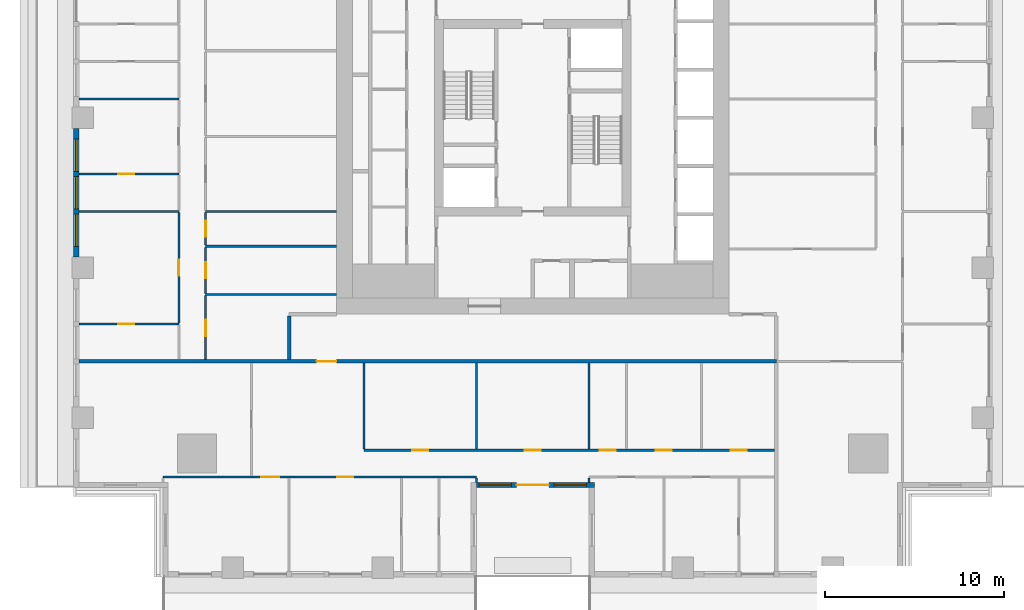
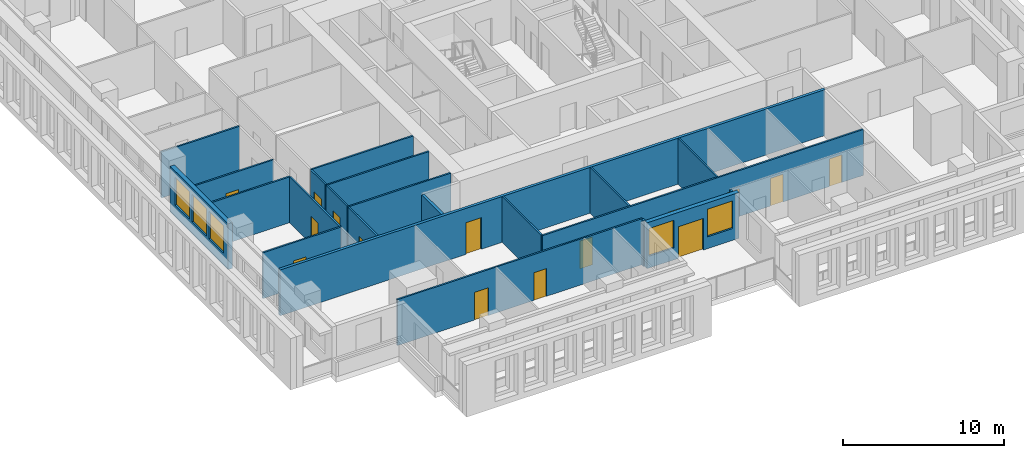
# One storey, part 3 of 16: 22 walls, 15 doors, 5 windows, 20 openings.
"""IFC4 building model written with IfcOpenShell, lengths in metres."""

from ifc_helpers import new_model, si_unit, direction, frame, frame_2d, origin, place, context, subcontext, project, spatial, rectangle, extrude, material, layer, layer_set, type_object, element, fill, save


model = new_model("IFC4")

# Units and contexts
model_context = context("Model", 3, precision=1e-05, world=origin(), true_north=direction((0.0, 1.0)))
body_context = subcontext(model_context, "Body", "Model", "MODEL_VIEW")
ifc_project = project(units=[si_unit("LENGTHUNIT", "METRE"), si_unit("AREAUNIT", "SQUARE_METRE"), si_unit("VOLUMEUNIT", "CUBIC_METRE"), si_unit("PLANEANGLEUNIT", "RADIAN"), si_unit("MASSUNIT", "GRAM", prefix="KILO")], contexts=[model_context])

# Site, building, storey
site_placement = place(None, origin())
site = spatial("IfcSite", under=ifc_project, at=site_placement, CompositionType="ELEMENT")
building_placement = place(site_placement, origin())
building = spatial("IfcBuilding", under=site, at=building_placement, Name="Khepri Terraces", CompositionType="ELEMENT")
storey_placement = place(building_placement, frame((0.0, 0.0, 240.60009765625)))
storey = spatial("IfcBuildingStorey", under=building, at=storey_placement, Name="L57", CompositionType="ELEMENT", Elevation=240.60009765625)

# Wall, opening, door
ifc_material_1 = material(Name="Fire-rated gypsum plasterboard partition, mineral wool")
ifc_layer_1 = layer(ifc_material_1, 0.199951171875, Name="Fire-rated gypsum plasterboard partition, mineral wool")
ifc_layer_set_1 = layer_set([ifc_layer_1], Name="Fire-rated gypsum plasterboard partition, mineral wool")
wall_type_1 = type_object("IfcWallType", Name="WL-CORR-200", PredefinedType="PARTITIONING", material=ifc_layer_set_1)
wall_1_placement = place(storey_placement, frame((-25.419921875, -13.64990234375, 0.0), z_axis=(0.0, 0.0, 1.0), x_axis=(1.0, 0.0, 0.0)))
wall_1 = element("IfcWall", 1, at=wall_1_placement, inside=storey, type_object=wall_type_1, Name="Partition P-020 L57", PredefinedType="PARTITIONING", context=body_context, shape_type="SweptSolid", body=[
    extrude(rectangle(XDim=39.06982421875, YDim=0.199951171875, at=frame_2d((19.534912109375, 0.0))), origin(), (0.0, 0.0, 1.0), 3.47998046875),
])
opening_1_placement = place(wall_1_placement, frame((13.320068359375, 0.0, 0.0)))
opening_1 = element("IfcOpeningElement", 2, at=opening_1_placement, cuts=wall_1, Name="Opening D1", PredefinedType="OPENING", context=body_context, shape_type="SweptSolid", body=[
    extrude(rectangle(XDim=1.10009765625, YDim=2.39990234375, at=frame_2d((0.550048828125, 1.199951171875))), frame((0.0, 0.10986328125, 0.0), z_axis=(0.0, -1.0, 0.0), x_axis=(1.0, 0.0, 0.0)), (0.0, 0.0, 1.0), 0.219970703125),
])
ifc_material_2 = material(Name="Solid-core timber door leaf, flat entrance door", Category="wood")
door_type_1 = type_object("IfcDoorType", Name="DR-ENT-1100", OperationType="NOTDEFINED", PredefinedType="DOOR", material=ifc_material_2)
door_1_placement = place(opening_1_placement, frame((1.10009765625, 0.0, 0.0), z_axis=(0.0, 0.0, 1.0), x_axis=(-1.0, 0.0, 0.0)))
door_1 = element("IfcDoor", 3, at=door_1_placement, inside=storey, type_object=door_type_1, Name="Flat A1 entrance door", OperationType="SINGLE_SWING_RIGHT", OverallHeight=2.39990234375, OverallWidth=1.10009765625, PredefinedType="DOOR", context=body_context, shape_type="SweptSolid", body=[
    extrude(rectangle(XDim=1.10009765625, YDim=2.39990234375, at=frame_2d((0.550048828125, 1.199951171875))), frame((0.0, 0.02490234375, 0.0), z_axis=(0.0, -1.0, 0.0), x_axis=(1.0, 0.0, 0.0)), (0.0, 0.0, 1.0), 0.050048828125),
])
fill(opening_1, door_1)

# Wall
wall_2_placement = place(storey_placement, frame((-13.64990234375, -13.550048828125, 0.0), z_axis=(0.0, 0.0, 1.0), x_axis=(0.0, 1.0, 0.0)))
element("IfcWall", 4, at=wall_2_placement, inside=storey, type_object=wall_type_1, Name="Partition P-025 L57", PredefinedType="PARTITIONING", context=body_context, shape_type="SweptSolid", body=[
    extrude(rectangle(XDim=2.449951171875, YDim=0.199951171875, at=frame_2d((1.22509765625, 0.0))), origin(), (0.0, 0.0, 1.0), 3.47998046875),
])

# Wall, openings, windows
ifc_material_3 = material(Name="Precast concrete C50/60 warm stone", Category="masonry")
ifc_layer_2 = layer(ifc_material_3, 0.300048828125, Name="Precast concrete C50/60 warm stone", Category="masonry")
ifc_layer_set_2 = layer_set([ifc_layer_2], Name="Precast concrete C50/60 warm stone")
wall_type_2 = type_object("IfcWallType", Name="WL-EXT-PRECAST-300", PredefinedType="STANDARD", material=ifc_layer_set_2)
wall_3_placement = place(storey_placement, frame((-25.570068359375, -0.60009765625, 0.0), z_axis=(0.0, 0.0, 1.0), x_axis=(0.0, -1.0, 0.0)))
wall_3 = element("IfcWall", 5, at=wall_3_placement, inside=storey, type_object=wall_type_2, Name="External wall L57 W", PredefinedType="STANDARD", context=body_context, shape_type="SweptSolid", body=[
    extrude(rectangle(XDim=7.199951171875, YDim=0.300048828125, at=frame_2d((3.60009765625, 0.0))), origin(), (0.0, 0.0, 1.0), 3.47998046875),
])
opening_2_placement = place(wall_3_placement, frame((0.60009765625, 0.0, 0.89990234375)))
opening_2 = element("IfcOpeningElement", 6, at=opening_2_placement, cuts=wall_3, Name="Opening W1", PredefinedType="OPENING", context=body_context, shape_type="SweptSolid", body=[
    extrude(rectangle(XDim=1.800048828125, YDim=2.10009765625, at=frame_2d((0.89990234375, 1.050048828125))), frame((0.0, 0.16015625, 0.0), z_axis=(0.0, -1.0, 0.0), x_axis=(1.0, 0.0, 0.0)), (0.0, 0.0, 1.0), 0.320068359375),
])
opening_3_placement = place(wall_3_placement, frame((2.699951171875, 0.0, 0.89990234375)))
opening_3 = element("IfcOpeningElement", 7, at=opening_3_placement, cuts=wall_3, Name="Opening W1", PredefinedType="OPENING", context=body_context, shape_type="SweptSolid", body=[
    extrude(rectangle(XDim=1.800048828125, YDim=2.10009765625, at=frame_2d((0.89990234375, 1.050048828125))), frame((0.0, 0.16015625, 0.0), z_axis=(0.0, -1.0, 0.0), x_axis=(1.0, 0.0, 0.0)), (0.0, 0.0, 1.0), 0.320068359375),
])
opening_4_placement = place(wall_3_placement, frame((4.800048828125, 0.0, 0.89990234375)))
opening_4 = element("IfcOpeningElement", 8, at=opening_4_placement, cuts=wall_3, Name="Opening W1", PredefinedType="OPENING", context=body_context, shape_type="SweptSolid", body=[
    extrude(rectangle(XDim=1.800048828125, YDim=2.10009765625, at=frame_2d((0.89990234375, 1.050048828125))), frame((0.0, 0.16015625, 0.0), z_axis=(0.0, -1.0, 0.0), x_axis=(1.0, 0.0, 0.0)), (0.0, 0.0, 1.0), 0.320068359375),
])
ifc_material_4 = material(Name="Clear glass", Category="glass")
window_type = type_object("IfcWindowType", Name="WIN-RES-1800x2100", PartitioningType="SINGLE_PANEL", PredefinedType="WINDOW", material=ifc_material_4)
window_1_placement = place(opening_2_placement, origin())
window_1 = element("IfcWindow", 9, at=window_1_placement, inside=storey, type_object=window_type, Name="Window L57 W", OverallHeight=2.10009765625, OverallWidth=1.800048828125, PartitioningType="SINGLE_PANEL", PredefinedType="WINDOW", context=body_context, shape_type="SweptSolid", body=[
    extrude(rectangle(XDim=1.800048828125, YDim=2.10009765625, at=frame_2d((0.89990234375, 1.050048828125))), frame((0.0, 0.030029296875, 0.0), z_axis=(0.0, -1.0, 0.0), x_axis=(1.0, 0.0, 0.0)), (0.0, 0.0, 1.0), 0.06005859375),
])
fill(opening_2, window_1)
window_2_placement = place(opening_3_placement, origin())
window_2 = element("IfcWindow", 10, at=window_2_placement, inside=storey, type_object=window_type, Name="Window L57 W", OverallHeight=2.10009765625, OverallWidth=1.800048828125, PartitioningType="SINGLE_PANEL", PredefinedType="WINDOW", context=body_context, shape_type="SweptSolid", body=[
    extrude(rectangle(XDim=1.800048828125, YDim=2.10009765625, at=frame_2d((0.89990234375, 1.050048828125))), frame((0.0, 0.030029296875, 0.0), z_axis=(0.0, -1.0, 0.0), x_axis=(1.0, 0.0, 0.0)), (0.0, 0.0, 1.0), 0.06005859375),
])
fill(opening_3, window_2)
window_3_placement = place(opening_4_placement, origin())
window_3 = element("IfcWindow", 11, at=window_3_placement, inside=storey, type_object=window_type, Name="Window L57 W", OverallHeight=2.10009765625, OverallWidth=1.800048828125, PartitioningType="SINGLE_PANEL", PredefinedType="WINDOW", context=body_context, shape_type="SweptSolid", body=[
    extrude(rectangle(XDim=1.800048828125, YDim=2.10009765625, at=frame_2d((0.89990234375, 1.050048828125))), frame((0.0, 0.030029296875, 0.0), z_axis=(0.0, -1.0, 0.0), x_axis=(1.0, 0.0, 0.0)), (0.0, 0.0, 1.0), 0.06005859375),
])
fill(opening_4, window_3)

# Wall, openings, door, windows
wall_4_placement = place(storey_placement, frame((-3.14990234375, -20.570068359375, 0.0), z_axis=(0.0, 0.0, 1.0), x_axis=(1.0, 0.0, 0.0)))
wall_4 = element("IfcWall", 12, at=wall_4_placement, inside=storey, type_object=wall_type_2, Name="External wall L57 S", PredefinedType="STANDARD", context=body_context, shape_type="SweptSolid", body=[
    extrude(rectangle(XDim=6.599853515625, YDim=0.300048828125, at=frame_2d((3.2998046875, 0.0))), origin(), (0.0, 0.0, 1.0), 3.47998046875),
])
opening_5_placement = place(wall_4_placement, frame((0.14990234375, 0.0, 0.89990234375)))
opening_5 = element("IfcOpeningElement", 13, at=opening_5_placement, cuts=wall_4, Name="Opening W1", PredefinedType="OPENING", context=body_context, shape_type="SweptSolid", body=[
    extrude(rectangle(XDim=1.800048828125, YDim=2.10009765625, at=frame_2d((0.89990234375, 1.050048828125))), frame((0.0, 0.16015625, 0.0), z_axis=(0.0, -1.0, 0.0), x_axis=(1.0, 0.0, 0.0)), (0.0, 0.0, 1.0), 0.320068359375),
])
opening_6_placement = place(wall_4_placement, frame((2.25, 0.0, 0.0)))
opening_6 = element("IfcOpeningElement", 14, at=opening_6_placement, cuts=wall_4, Name="Opening ED-L57-19", PredefinedType="OPENING", context=body_context, shape_type="SweptSolid", body=[
    extrude(rectangle(XDim=1.800048828125, YDim=2.39990234375, at=frame_2d((0.89990234375, 1.199951171875))), frame((0.0, 0.16015625, 0.0), z_axis=(0.0, -1.0, 0.0), x_axis=(1.0, 0.0, 0.0)), (0.0, 0.0, 1.0), 0.320068359375),
])
opening_7_placement = place(wall_4_placement, frame((4.35009765625, 0.0, 0.89990234375)))
opening_7 = element("IfcOpeningElement", 15, at=opening_7_placement, cuts=wall_4, Name="Opening W1", PredefinedType="OPENING", context=body_context, shape_type="SweptSolid", body=[
    extrude(rectangle(XDim=1.800048828125, YDim=2.10009765625, at=frame_2d((0.89990234375, 1.050048828125))), frame((0.0, 0.16015625, 0.0), z_axis=(0.0, -1.0, 0.0), x_axis=(1.0, 0.0, 0.0)), (0.0, 0.0, 1.0), 0.320068359375),
])
ifc_material_5 = material(Name="Anodised aluminium bronze glazed door", Category="aluminium")
door_type_2 = type_object("IfcDoorType", Name="DR-BAL-SLIDE-1800x2400", OperationType="NOTDEFINED", PredefinedType="DOOR", material=ifc_material_5)
door_2_placement = place(opening_6_placement, origin())
door_2 = element("IfcDoor", 16, at=door_2_placement, inside=storey, type_object=door_type_2, Name="Balcony door L57 S", OperationType="SLIDING_TO_LEFT", OverallHeight=2.39990234375, OverallWidth=1.800048828125, PredefinedType="DOOR", context=body_context, shape_type="SweptSolid", body=[
    extrude(rectangle(XDim=1.800048828125, YDim=2.39990234375, at=frame_2d((0.89990234375, 1.199951171875))), frame((0.0, 0.02490234375, 0.0), z_axis=(0.0, -1.0, 0.0), x_axis=(1.0, 0.0, 0.0)), (0.0, 0.0, 1.0), 0.050048828125),
])
fill(opening_6, door_2)
window_4_placement = place(opening_5_placement, origin())
window_4 = element("IfcWindow", 17, at=window_4_placement, inside=storey, type_object=window_type, Name="Window L57 S", OverallHeight=2.10009765625, OverallWidth=1.800048828125, PartitioningType="SINGLE_PANEL", PredefinedType="WINDOW", context=body_context, shape_type="SweptSolid", body=[
    extrude(rectangle(XDim=1.800048828125, YDim=2.10009765625, at=frame_2d((0.89990234375, 1.050048828125))), frame((0.0, 0.030029296875, 0.0), z_axis=(0.0, -1.0, 0.0), x_axis=(1.0, 0.0, 0.0)), (0.0, 0.0, 1.0), 0.06005859375),
])
fill(opening_5, window_4)
window_5_placement = place(opening_7_placement, origin())
window_5 = element("IfcWindow", 18, at=window_5_placement, inside=storey, type_object=window_type, Name="Window L57 S", OverallHeight=2.10009765625, OverallWidth=1.800048828125, PartitioningType="SINGLE_PANEL", PredefinedType="WINDOW", context=body_context, shape_type="SweptSolid", body=[
    extrude(rectangle(XDim=1.800048828125, YDim=2.10009765625, at=frame_2d((0.89990234375, 1.050048828125))), frame((0.0, 0.030029296875, 0.0), z_axis=(0.0, -1.0, 0.0), x_axis=(1.0, 0.0, 0.0)), (0.0, 0.0, 1.0), 0.06005859375),
])
fill(opening_7, window_5)

# Walls
ifc_material_6 = material(Name="Gypsum plasterboard partition")
ifc_layer_3 = layer(ifc_material_6, 0.1201171875, Name="Gypsum plasterboard partition")
ifc_layer_set_3 = layer_set([ifc_layer_3], Name="Gypsum plasterboard partition")
wall_type_3 = type_object("IfcWallType", Name="WL-PART-120", PredefinedType="PARTITIONING", material=ifc_layer_set_3)
for number, where, z_axis, x_axis, name in (
    (19, (-3.14990234375, -20.419921875, 0.0), (0.0, 0.0, 1.0), (0.0, 1.0, 0.0), "Partition P-008 L57"),
    (20, (3.14990234375, -20.419921875, 0.0), (0.0, 0.0, 1.0), (0.0, 1.0, 0.0), "Partition P-009 L57"),
):
    element("IfcWall", number, at=place(storey_placement, frame(where, z_axis=z_axis, x_axis=x_axis)), inside=storey, type_object=wall_type_3, Name=name, PredefinedType="PARTITIONING", context=body_context, shape_type="SweptSolid", body=[
        extrude(rectangle(XDim=0.239990234375, YDim=0.1201171875, at=frame_2d((0.1201171875, 0.0))), origin(), (0.0, 0.0, 1.0), 3.47998046875),
    ])

# Wall, openings, doors
wall_5_placement = place(storey_placement, frame((-20.718994140625, -20.1201171875, 0.0), z_axis=(0.0, 0.0, 1.0), x_axis=(1.0, 0.0, 0.0)))
wall_5 = element("IfcWall", 21, at=wall_5_placement, inside=storey, type_object=wall_type_3, Name="Partition P-011 L57", PredefinedType="PARTITIONING", context=body_context, shape_type="SweptSolid", body=[
    extrude(rectangle(XDim=17.569091796875, YDim=0.1201171875, at=frame_2d((8.78466796875, 0.0))), origin(), (0.0, 0.0, 1.0), 3.47998046875),
])
opening_8_placement = place(wall_5_placement, frame((5.51904296875, 0.0, 0.0)))
opening_8 = element("IfcOpeningElement", 22, at=opening_8_placement, cuts=wall_5, Name="Opening D2", PredefinedType="OPENING", context=body_context, shape_type="SweptSolid", body=[
    extrude(rectangle(XDim=1.0, YDim=2.10009765625, at=frame_2d((0.5, 1.050048828125))), frame((0.0, 0.070068359375, 0.0), z_axis=(0.0, -1.0, 0.0), x_axis=(1.0, 0.0, 0.0)), (0.0, 0.0, 1.0), 0.14013671875),
])
opening_9_placement = place(wall_5_placement, frame((9.76904296875, 0.0, 0.0)))
opening_9 = element("IfcOpeningElement", 23, at=opening_9_placement, cuts=wall_5, Name="Opening D3", PredefinedType="OPENING", context=body_context, shape_type="SweptSolid", body=[
    extrude(rectangle(XDim=0.89990234375, YDim=2.10009765625, at=frame_2d((0.449951171875, 1.050048828125))), frame((0.0, 0.070068359375, 0.0), z_axis=(0.0, -1.0, 0.0), x_axis=(1.0, 0.0, 0.0)), (0.0, 0.0, 1.0), 0.14013671875),
])
ifc_material_7 = material(Name="Timber door leaf, living room door", Category="wood")
door_type_3 = type_object("IfcDoorType", Name="DR-INT-1000", OperationType="NOTDEFINED", PredefinedType="DOOR", material=ifc_material_7)
door_3_placement = place(opening_8_placement, frame((1.0, 0.0, 0.0), z_axis=(0.0, 0.0, 1.0), x_axis=(-1.0, 0.0, 0.0)))
door_3 = element("IfcDoor", 24, at=door_3_placement, inside=storey, type_object=door_type_3, Name="Door Living Room", OperationType="SINGLE_SWING_RIGHT", OverallHeight=2.10009765625, OverallWidth=1.0, PredefinedType="DOOR", context=body_context, shape_type="SweptSolid", body=[
    extrude(rectangle(XDim=1.0, YDim=2.10009765625, at=frame_2d((0.5, 1.050048828125))), frame((0.0, 0.02490234375, 0.0), z_axis=(0.0, -1.0, 0.0), x_axis=(1.0, 0.0, 0.0)), (0.0, 0.0, 1.0), 0.050048828125),
])
fill(opening_8, door_3)
ifc_material_8 = material(Name="Timber door leaf", Category="wood")
door_type_4 = type_object("IfcDoorType", Name="DR-INT-900", OperationType="NOTDEFINED", PredefinedType="DOOR", material=ifc_material_8)
door_4_placement = place(opening_9_placement, frame((0.89990234375, 0.0, 0.0), z_axis=(0.0, 0.0, 1.0), x_axis=(-1.0, 0.0, 0.0)))
door_4 = element("IfcDoor", 25, at=door_4_placement, inside=storey, type_object=door_type_4, Name="Door Master Bedroom", OperationType="SINGLE_SWING_LEFT", OverallHeight=2.10009765625, OverallWidth=0.89990234375, PredefinedType="DOOR", context=body_context, shape_type="SweptSolid", body=[
    extrude(rectangle(XDim=0.89990234375, YDim=2.10009765625, at=frame_2d((0.449951171875, 1.050048828125))), frame((0.0, 0.02490234375, 0.0), z_axis=(0.0, -1.0, 0.0), x_axis=(1.0, 0.0, 0.0)), (0.0, 0.0, 1.0), 0.050048828125),
])
fill(opening_9, door_4)

wall_6_placement = place(storey_placement, frame((-9.449951171875, -18.6201171875, 0.0), z_axis=(0.0, 0.0, 1.0), x_axis=(1.0, 0.0, 0.0)))
wall_6 = element("IfcWall", 26, at=wall_6_placement, inside=storey, type_object=wall_type_3, Name="Partition P-014 L57", PredefinedType="PARTITIONING", context=body_context, shape_type="SweptSolid", body=[
    extrude(rectangle(XDim=23.0, YDim=0.1201171875, at=frame_2d((11.5, 0.0))), origin(), (0.0, 0.0, 1.0), 3.47998046875),
])
opening_10_placement = place(wall_6_placement, frame((2.699951171875, 0.0, 0.0)))
opening_10 = element("IfcOpeningElement", 27, at=opening_10_placement, cuts=wall_6, Name="Opening D3", PredefinedType="OPENING", context=body_context, shape_type="SweptSolid", body=[
    extrude(rectangle(XDim=0.89990234375, YDim=2.10009765625, at=frame_2d((0.449951171875, 1.050048828125))), frame((0.0, 0.070068359375, 0.0), z_axis=(0.0, -1.0, 0.0), x_axis=(1.0, 0.0, 0.0)), (0.0, 0.0, 1.0), 0.14013671875),
])
opening_11_placement = place(wall_6_placement, frame((9.0, 0.0, 0.0)))
opening_11 = element("IfcOpeningElement", 28, at=opening_11_placement, cuts=wall_6, Name="Opening D3", PredefinedType="OPENING", context=body_context, shape_type="SweptSolid", body=[
    extrude(rectangle(XDim=0.89990234375, YDim=2.10009765625, at=frame_2d((0.449951171875, 1.050048828125))), frame((0.0, 0.070068359375, 0.0), z_axis=(0.0, -1.0, 0.0), x_axis=(1.0, 0.0, 0.0)), (0.0, 0.0, 1.0), 0.14013671875),
])
opening_12_placement = place(wall_6_placement, frame((13.199951171875, 0.0, 0.0)))
opening_12 = element("IfcOpeningElement", 29, at=opening_12_placement, cuts=wall_6, Name="Opening D4", PredefinedType="OPENING", context=body_context, shape_type="SweptSolid", body=[
    extrude(rectangle(XDim=0.89990234375, YDim=2.10009765625, at=frame_2d((0.449951171875, 1.050048828125))), frame((0.0, 0.070068359375, 0.0), z_axis=(0.0, -1.0, 0.0), x_axis=(1.0, 0.0, 0.0)), (0.0, 0.0, 1.0), 0.14013671875),
])
opening_13_placement = place(wall_6_placement, frame((16.35009765625, 0.0, 0.0)))
opening_13 = element("IfcOpeningElement", 30, at=opening_13_placement, cuts=wall_6, Name="Opening D4", PredefinedType="OPENING", context=body_context, shape_type="SweptSolid", body=[
    extrude(rectangle(XDim=0.89990234375, YDim=2.10009765625, at=frame_2d((0.449951171875, 1.050048828125))), frame((0.0, 0.070068359375, 0.0), z_axis=(0.0, -1.0, 0.0), x_axis=(1.0, 0.0, 0.0)), (0.0, 0.0, 1.0), 0.14013671875),
])
opening_14_placement = place(wall_6_placement, frame((20.550048828125, 0.0, 0.0)))
opening_14 = element("IfcOpeningElement", 31, at=opening_14_placement, cuts=wall_6, Name="Opening D3", PredefinedType="OPENING", context=body_context, shape_type="SweptSolid", body=[
    extrude(rectangle(XDim=0.89990234375, YDim=2.10009765625, at=frame_2d((0.449951171875, 1.050048828125))), frame((0.0, 0.070068359375, 0.0), z_axis=(0.0, -1.0, 0.0), x_axis=(1.0, 0.0, 0.0)), (0.0, 0.0, 1.0), 0.14013671875),
])
door_5_placement = place(opening_10_placement, origin())
door_5 = element("IfcDoor", 32, at=door_5_placement, inside=storey, type_object=door_type_4, Name="Door Kitchen", OperationType="SINGLE_SWING_LEFT", OverallHeight=2.10009765625, OverallWidth=0.89990234375, PredefinedType="DOOR", context=body_context, shape_type="SweptSolid", body=[
    extrude(rectangle(XDim=0.89990234375, YDim=2.10009765625, at=frame_2d((0.449951171875, 1.050048828125))), frame((0.0, 0.02490234375, 0.0), z_axis=(0.0, -1.0, 0.0), x_axis=(1.0, 0.0, 0.0)), (0.0, 0.0, 1.0), 0.050048828125),
])
fill(opening_10, door_5)
door_6_placement = place(opening_11_placement, origin())
door_6 = element("IfcDoor", 33, at=door_6_placement, inside=storey, type_object=door_type_4, Name="Door Staff Bedroom", OperationType="SINGLE_SWING_LEFT", OverallHeight=2.10009765625, OverallWidth=0.89990234375, PredefinedType="DOOR", context=body_context, shape_type="SweptSolid", body=[
    extrude(rectangle(XDim=0.89990234375, YDim=2.10009765625, at=frame_2d((0.449951171875, 1.050048828125))), frame((0.0, 0.02490234375, 0.0), z_axis=(0.0, -1.0, 0.0), x_axis=(1.0, 0.0, 0.0)), (0.0, 0.0, 1.0), 0.050048828125),
])
fill(opening_11, door_6)
door_7_placement = place(opening_14_placement, origin())
door_7 = element("IfcDoor", 34, at=door_7_placement, inside=storey, type_object=door_type_4, Name="Door Library", OperationType="SINGLE_SWING_RIGHT", OverallHeight=2.10009765625, OverallWidth=0.89990234375, PredefinedType="DOOR", context=body_context, shape_type="SweptSolid", body=[
    extrude(rectangle(XDim=0.89990234375, YDim=2.10009765625, at=frame_2d((0.449951171875, 1.050048828125))), frame((0.0, 0.02490234375, 0.0), z_axis=(0.0, -1.0, 0.0), x_axis=(1.0, 0.0, 0.0)), (0.0, 0.0, 1.0), 0.050048828125),
])
fill(opening_14, door_7)
ifc_material_9 = material(Name="Timber door leaf, moisture resistant", Category="wood")
door_type_5 = type_object("IfcDoorType", Name="DR-WET-900", OperationType="NOTDEFINED", PredefinedType="DOOR", material=ifc_material_9)
door_8_placement = place(opening_12_placement, origin())
door_8 = element("IfcDoor", 35, at=door_8_placement, inside=storey, type_object=door_type_5, Name="Door Powder Room", OperationType="SINGLE_SWING_RIGHT", OverallHeight=2.10009765625, OverallWidth=0.89990234375, PredefinedType="DOOR", context=body_context, shape_type="SweptSolid", body=[
    extrude(rectangle(XDim=0.89990234375, YDim=2.10009765625, at=frame_2d((0.449951171875, 1.050048828125))), frame((0.0, 0.02490234375, 0.0), z_axis=(0.0, -1.0, 0.0), x_axis=(1.0, 0.0, 0.0)), (0.0, 0.0, 1.0), 0.050048828125),
])
fill(opening_12, door_8)
door_9_placement = place(opening_13_placement, origin())
door_9 = element("IfcDoor", 36, at=door_9_placement, inside=storey, type_object=door_type_5, Name="Door Guest Bathroom", OperationType="SINGLE_SWING_RIGHT", OverallHeight=2.10009765625, OverallWidth=0.89990234375, PredefinedType="DOOR", context=body_context, shape_type="SweptSolid", body=[
    extrude(rectangle(XDim=0.89990234375, YDim=2.10009765625, at=frame_2d((0.449951171875, 1.050048828125))), frame((0.0, 0.02490234375, 0.0), z_axis=(0.0, -1.0, 0.0), x_axis=(1.0, 0.0, 0.0)), (0.0, 0.0, 1.0), 0.050048828125),
])
fill(opening_13, door_9)

# Walls
for number, where, z_axis, x_axis, name in (
    (37, (-9.449951171875, -18.56005859375, 0.0), (0.0, 0.0, 1.0), (0.0, 1.0, 0.0), "Partition P-015 L57"),
    (38, (-3.14990234375, -18.56005859375, 0.0), (0.0, 0.0, 1.0), (0.0, 1.0, 0.0), "Partition P-016 L57"),
    (39, (3.14990234375, -18.56005859375, 0.0), (0.0, 0.0, 1.0), (0.0, 1.0, 0.0), "Partition P-017 L57"),
):
    element("IfcWall", number, at=place(storey_placement, frame(where, z_axis=z_axis, x_axis=x_axis)), inside=storey, type_object=wall_type_3, Name=name, PredefinedType="PARTITIONING", context=body_context, shape_type="SweptSolid", body=[
        extrude(rectangle(XDim=4.81005859375, YDim=0.1201171875, at=frame_2d((2.405029296875, 0.0))), origin(), (0.0, 0.0, 1.0), 3.47998046875),
    ])

# Wall, opening, door
wall_7_placement = place(storey_placement, frame((-18.320068359375, -13.550048828125, 0.0), z_axis=(0.0, 0.0, 1.0), x_axis=(0.0, 1.0, 0.0)))
wall_7 = element("IfcWall", 40, at=wall_7_placement, inside=storey, type_object=wall_type_3, Name="Partition P-024 L57", PredefinedType="PARTITIONING", context=body_context, shape_type="SweptSolid", body=[
    extrude(rectangle(XDim=3.590087890625, YDim=0.1201171875, at=frame_2d((1.794921875, 0.0))), origin(), (0.0, 0.0, 1.0), 3.47998046875),
])
opening_15_placement = place(wall_7_placement, frame((1.324951171875, 0.0, 0.0)))
opening_15 = element("IfcOpeningElement", 41, at=opening_15_placement, cuts=wall_7, Name="Opening D3", PredefinedType="OPENING", context=body_context, shape_type="SweptSolid", body=[
    extrude(rectangle(XDim=0.89990234375, YDim=2.10009765625, at=frame_2d((0.449951171875, 1.050048828125))), frame((0.0, 0.070068359375, 0.0), z_axis=(0.0, -1.0, 0.0), x_axis=(1.0, 0.0, 0.0)), (0.0, 0.0, 1.0), 0.14013671875),
])
door_10_placement = place(opening_15_placement, frame((0.89990234375, 0.0, 0.0), z_axis=(0.0, 0.0, 1.0), x_axis=(-1.0, 0.0, 0.0)))
door_10 = element("IfcDoor", 42, at=door_10_placement, inside=storey, type_object=door_type_4, Name="Door Library", OperationType="SINGLE_SWING_RIGHT", OverallHeight=2.10009765625, OverallWidth=0.89990234375, PredefinedType="DOOR", context=body_context, shape_type="SweptSolid", body=[
    extrude(rectangle(XDim=0.89990234375, YDim=2.10009765625, at=frame_2d((0.449951171875, 1.050048828125))), frame((0.0, 0.02490234375, 0.0), z_axis=(0.0, -1.0, 0.0), x_axis=(1.0, 0.0, 0.0)), (0.0, 0.0, 1.0), 0.050048828125),
])
fill(opening_15, door_10)

wall_8_placement = place(storey_placement, frame((-25.419921875, -11.550048828125, 0.0), z_axis=(0.0, 0.0, 1.0), x_axis=(1.0, 0.0, 0.0)))
wall_8 = element("IfcWall", 43, at=wall_8_placement, inside=storey, type_object=wall_type_3, Name="Partition P-027 L57", PredefinedType="PARTITIONING", context=body_context, shape_type="SweptSolid", body=[
    extrude(rectangle(XDim=5.599853515625, YDim=0.1201171875, at=frame_2d((2.7998046875, 0.0))), origin(), (0.0, 0.0, 1.0), 3.47998046875),
])
opening_16_placement = place(wall_8_placement, frame((2.199951171875, 0.0, 0.0)))
opening_16 = element("IfcOpeningElement", 44, at=opening_16_placement, cuts=wall_8, Name="Opening D4", PredefinedType="OPENING", context=body_context, shape_type="SweptSolid", body=[
    extrude(rectangle(XDim=0.89990234375, YDim=2.10009765625, at=frame_2d((0.449951171875, 1.050048828125))), frame((0.0, 0.070068359375, 0.0), z_axis=(0.0, -1.0, 0.0), x_axis=(1.0, 0.0, 0.0)), (0.0, 0.0, 1.0), 0.14013671875),
])
door_11_placement = place(opening_16_placement, frame((0.89990234375, 0.0, 0.0), z_axis=(0.0, 0.0, 1.0), x_axis=(-1.0, 0.0, 0.0)))
door_11 = element("IfcDoor", 45, at=door_11_placement, inside=storey, type_object=door_type_5, Name="Door Bathroom", OperationType="SINGLE_SWING_RIGHT", OverallHeight=2.10009765625, OverallWidth=0.89990234375, PredefinedType="DOOR", context=body_context, shape_type="SweptSolid", body=[
    extrude(rectangle(XDim=0.89990234375, YDim=2.10009765625, at=frame_2d((0.449951171875, 1.050048828125))), frame((0.0, 0.02490234375, 0.0), z_axis=(0.0, -1.0, 0.0), x_axis=(1.0, 0.0, 0.0)), (0.0, 0.0, 1.0), 0.050048828125),
])
fill(opening_16, door_11)

wall_9_placement = place(storey_placement, frame((-19.820068359375, -11.489990234375, 0.0), z_axis=(0.0, 0.0, 1.0), x_axis=(0.0, 1.0, 0.0)))
wall_9 = element("IfcWall", 46, at=wall_9_placement, inside=storey, type_object=wall_type_3, Name="Partition P-029 L57", PredefinedType="PARTITIONING", context=body_context, shape_type="SweptSolid", body=[
    extrude(rectangle(XDim=6.179931640625, YDim=0.1201171875, at=frame_2d((3.08984375, 0.0))), origin(), (0.0, 0.0, 1.0), 3.47998046875),
])
opening_17_placement = place(wall_9_placement, frame((2.639892578125, 0.0, 0.0)))
opening_17 = element("IfcOpeningElement", 47, at=opening_17_placement, cuts=wall_9, Name="Opening D3", PredefinedType="OPENING", context=body_context, shape_type="SweptSolid", body=[
    extrude(rectangle(XDim=0.89990234375, YDim=2.10009765625, at=frame_2d((0.449951171875, 1.050048828125))), frame((0.0, 0.070068359375, 0.0), z_axis=(0.0, -1.0, 0.0), x_axis=(1.0, 0.0, 0.0)), (0.0, 0.0, 1.0), 0.14013671875),
])
door_12_placement = place(opening_17_placement, origin())
door_12 = element("IfcDoor", 48, at=door_12_placement, inside=storey, type_object=door_type_4, Name="Door Bedroom", OperationType="SINGLE_SWING_LEFT", OverallHeight=2.10009765625, OverallWidth=0.89990234375, PredefinedType="DOOR", context=body_context, shape_type="SweptSolid", body=[
    extrude(rectangle(XDim=0.89990234375, YDim=2.10009765625, at=frame_2d((0.449951171875, 1.050048828125))), frame((0.0, 0.02490234375, 0.0), z_axis=(0.0, -1.0, 0.0), x_axis=(1.0, 0.0, 0.0)), (0.0, 0.0, 1.0), 0.050048828125),
])
fill(opening_17, door_12)

# Wall
wall_10_placement = place(storey_placement, frame((-18.320068359375, -9.89990234375, 0.0), z_axis=(0.0, 0.0, 1.0), x_axis=(1.0, 0.0, 0.0)))
element("IfcWall", 49, at=wall_10_placement, inside=storey, type_object=wall_type_3, Name="Partition P-033 L57", PredefinedType="PARTITIONING", context=body_context, shape_type="SweptSolid", body=[
    extrude(rectangle(XDim=7.320068359375, YDim=0.1201171875, at=frame_2d((3.66015625, 0.0))), origin(), (0.0, 0.0, 1.0), 3.47998046875),
])

# Wall, opening, door
wall_11_placement = place(storey_placement, frame((-18.320068359375, -9.840087890625, 0.0), z_axis=(0.0, 0.0, 1.0), x_axis=(0.0, 1.0, 0.0)))
wall_11 = element("IfcWall", 50, at=wall_11_placement, inside=storey, type_object=wall_type_3, Name="Partition P-034 L57", PredefinedType="PARTITIONING", context=body_context, shape_type="SweptSolid", body=[
    extrude(rectangle(XDim=2.580078125, YDim=0.1201171875, at=frame_2d((1.2900390625, 0.0))), origin(), (0.0, 0.0, 1.0), 3.47998046875),
])
opening_18_placement = place(wall_11_placement, frame((0.840087890625, 0.0, 0.0)))
opening_18 = element("IfcOpeningElement", 51, at=opening_18_placement, cuts=wall_11, Name="Opening D4", PredefinedType="OPENING", context=body_context, shape_type="SweptSolid", body=[
    extrude(rectangle(XDim=0.89990234375, YDim=2.10009765625, at=frame_2d((0.449951171875, 1.050048828125))), frame((0.0, 0.070068359375, 0.0), z_axis=(0.0, -1.0, 0.0), x_axis=(1.0, 0.0, 0.0)), (0.0, 0.0, 1.0), 0.14013671875),
])
door_13_placement = place(opening_18_placement, frame((0.89990234375, 0.0, 0.0), z_axis=(0.0, 0.0, 1.0), x_axis=(-1.0, 0.0, 0.0)))
door_13 = element("IfcDoor", 52, at=door_13_placement, inside=storey, type_object=door_type_5, Name="Door Guest Bathroom", OperationType="SINGLE_SWING_RIGHT", OverallHeight=2.10009765625, OverallWidth=0.89990234375, PredefinedType="DOOR", context=body_context, shape_type="SweptSolid", body=[
    extrude(rectangle(XDim=0.89990234375, YDim=2.10009765625, at=frame_2d((0.449951171875, 1.050048828125))), frame((0.0, 0.02490234375, 0.0), z_axis=(0.0, -1.0, 0.0), x_axis=(1.0, 0.0, 0.0)), (0.0, 0.0, 1.0), 0.050048828125),
])
fill(opening_18, door_13)

# Wall
wall_12_placement = place(storey_placement, frame((-18.320068359375, -7.199951171875, 0.0), z_axis=(0.0, 0.0, 1.0), x_axis=(1.0, 0.0, 0.0)))
element("IfcWall", 53, at=wall_12_placement, inside=storey, type_object=wall_type_3, Name="Partition P-037 L57", PredefinedType="PARTITIONING", context=body_context, shape_type="SweptSolid", body=[
    extrude(rectangle(XDim=7.320068359375, YDim=0.1201171875, at=frame_2d((3.66015625, 0.0))), origin(), (0.0, 0.0, 1.0), 3.47998046875),
])

# Wall, opening, door
wall_13_placement = place(storey_placement, frame((-18.320068359375, -7.139892578125, 0.0), z_axis=(0.0, 0.0, 1.0), x_axis=(0.0, 1.0, 0.0)))
wall_13 = element("IfcWall", 54, at=wall_13_placement, inside=storey, type_object=wall_type_3, Name="Partition P-038 L57", PredefinedType="PARTITIONING", context=body_context, shape_type="SweptSolid", body=[
    extrude(rectangle(XDim=1.829833984375, YDim=0.1201171875, at=frame_2d((0.9150390625, 0.0))), origin(), (0.0, 0.0, 1.0), 3.47998046875),
])
opening_19_placement = place(wall_13_placement, frame((0.465087890625, 0.0, 0.0)))
opening_19 = element("IfcOpeningElement", 55, at=opening_19_placement, cuts=wall_13, Name="Opening D4", PredefinedType="OPENING", context=body_context, shape_type="SweptSolid", body=[
    extrude(rectangle(XDim=0.89990234375, YDim=2.10009765625, at=frame_2d((0.449951171875, 1.050048828125))), frame((0.0, 0.070068359375, 0.0), z_axis=(0.0, -1.0, 0.0), x_axis=(1.0, 0.0, 0.0)), (0.0, 0.0, 1.0), 0.14013671875),
])
door_14_placement = place(opening_19_placement, frame((0.89990234375, 0.0, 0.0), z_axis=(0.0, 0.0, 1.0), x_axis=(-1.0, 0.0, 0.0)))
door_14 = element("IfcDoor", 56, at=door_14_placement, inside=storey, type_object=door_type_5, Name="Door Powder Room", OperationType="SINGLE_SWING_LEFT", OverallHeight=2.10009765625, OverallWidth=0.89990234375, PredefinedType="DOOR", context=body_context, shape_type="SweptSolid", body=[
    extrude(rectangle(XDim=0.89990234375, YDim=2.10009765625, at=frame_2d((0.449951171875, 1.050048828125))), frame((0.0, 0.02490234375, 0.0), z_axis=(0.0, -1.0, 0.0), x_axis=(1.0, 0.0, 0.0)), (0.0, 0.0, 1.0), 0.050048828125),
])
fill(opening_19, door_14)

# Walls
wall_14_placement = place(storey_placement, frame((-25.419921875, -5.25, 0.0), z_axis=(0.0, 0.0, 1.0), x_axis=(1.0, 0.0, 0.0)))
element("IfcWall", 57, at=wall_14_placement, inside=storey, type_object=wall_type_3, Name="Partition P-039 L57", PredefinedType="PARTITIONING", context=body_context, shape_type="SweptSolid", body=[
    extrude(rectangle(XDim=5.599853515625, YDim=0.1201171875, at=frame_2d((2.7998046875, 0.0))), origin(), (0.0, 0.0, 1.0), 3.47998046875),
])
wall_15_placement = place(storey_placement, frame((-18.320068359375, -5.25, 0.0), z_axis=(0.0, 0.0, 1.0), x_axis=(1.0, 0.0, 0.0)))
element("IfcWall", 58, at=wall_15_placement, inside=storey, type_object=wall_type_3, Name="Partition P-040 L57", PredefinedType="PARTITIONING", context=body_context, shape_type="SweptSolid", body=[
    extrude(rectangle(XDim=7.320068359375, YDim=0.1201171875, at=frame_2d((3.66015625, 0.0))), origin(), (0.0, 0.0, 1.0), 3.47998046875),
])

# Wall, opening, door
wall_16_placement = place(storey_placement, frame((-25.419921875, -3.14990234375, 0.0), z_axis=(0.0, 0.0, 1.0), x_axis=(1.0, 0.0, 0.0)))
wall_16 = element("IfcWall", 59, at=wall_16_placement, inside=storey, type_object=wall_type_3, Name="Partition P-045 L57", PredefinedType="PARTITIONING", context=body_context, shape_type="SweptSolid", body=[
    extrude(rectangle(XDim=5.599853515625, YDim=0.1201171875, at=frame_2d((2.7998046875, 0.0))), origin(), (0.0, 0.0, 1.0), 3.47998046875),
])
opening_20_placement = place(wall_16_placement, frame((2.199951171875, 0.0, 0.0)))
opening_20 = element("IfcOpeningElement", 60, at=opening_20_placement, cuts=wall_16, Name="Opening D4", PredefinedType="OPENING", context=body_context, shape_type="SweptSolid", body=[
    extrude(rectangle(XDim=0.89990234375, YDim=2.10009765625, at=frame_2d((0.449951171875, 1.050048828125))), frame((0.0, 0.070068359375, 0.0), z_axis=(0.0, -1.0, 0.0), x_axis=(1.0, 0.0, 0.0)), (0.0, 0.0, 1.0), 0.14013671875),
])
door_15_placement = place(opening_20_placement, frame((0.89990234375, 0.0, 0.0), z_axis=(0.0, 0.0, 1.0), x_axis=(-1.0, 0.0, 0.0)))
door_15 = element("IfcDoor", 61, at=door_15_placement, inside=storey, type_object=door_type_5, Name="Door Bathroom", OperationType="SINGLE_SWING_RIGHT", OverallHeight=2.10009765625, OverallWidth=0.89990234375, PredefinedType="DOOR", context=body_context, shape_type="SweptSolid", body=[
    extrude(rectangle(XDim=0.89990234375, YDim=2.10009765625, at=frame_2d((0.449951171875, 1.050048828125))), frame((0.0, 0.02490234375, 0.0), z_axis=(0.0, -1.0, 0.0), x_axis=(1.0, 0.0, 0.0)), (0.0, 0.0, 1.0), 0.050048828125),
])
fill(opening_20, door_15)

# Wall
wall_17_placement = place(storey_placement, frame((-25.419921875, 1.050048828125, 0.0), z_axis=(0.0, 0.0, 1.0), x_axis=(1.0, 0.0, 0.0)))
element("IfcWall", 62, at=wall_17_placement, inside=storey, type_object=wall_type_3, Name="Partition P-051 L57", PredefinedType="PARTITIONING", context=body_context, shape_type="SweptSolid", body=[
    extrude(rectangle(XDim=5.599853515625, YDim=0.1201171875, at=frame_2d((2.7998046875, 0.0))), origin(), (0.0, 0.0, 1.0), 3.47998046875),
])

save(model, "model.ifc")
